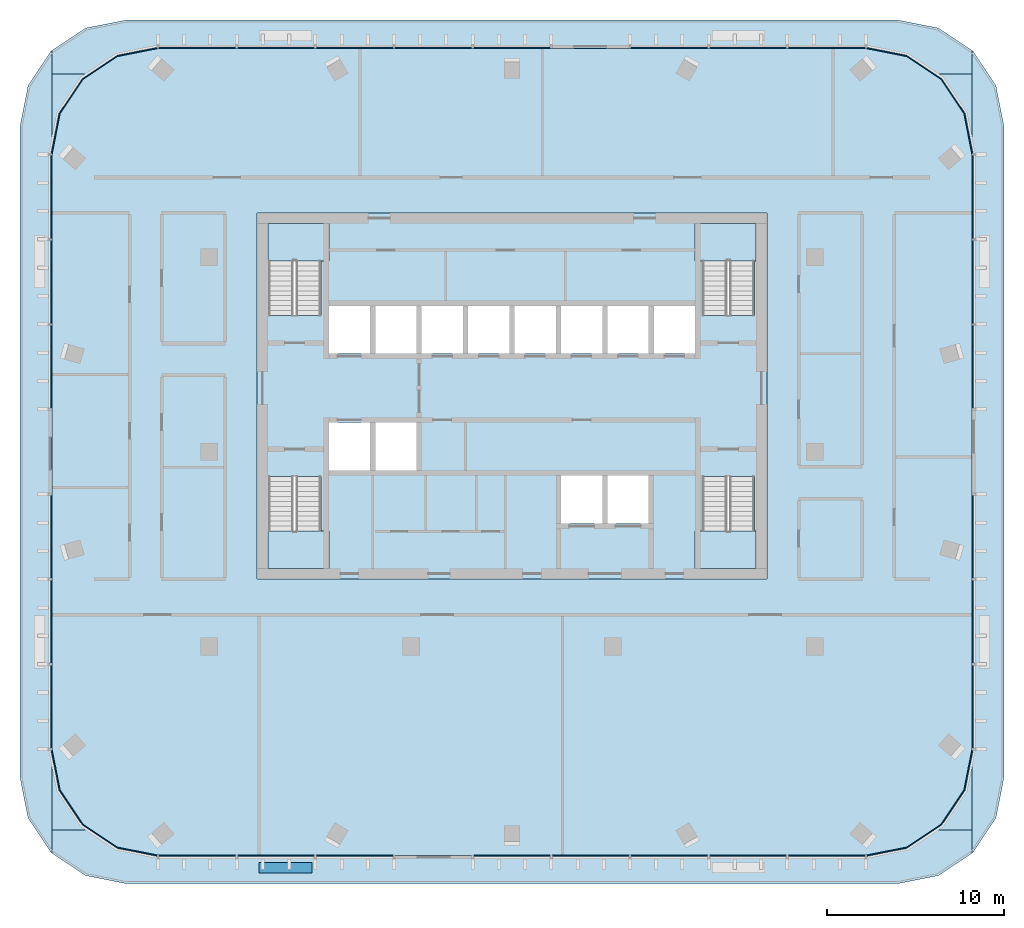
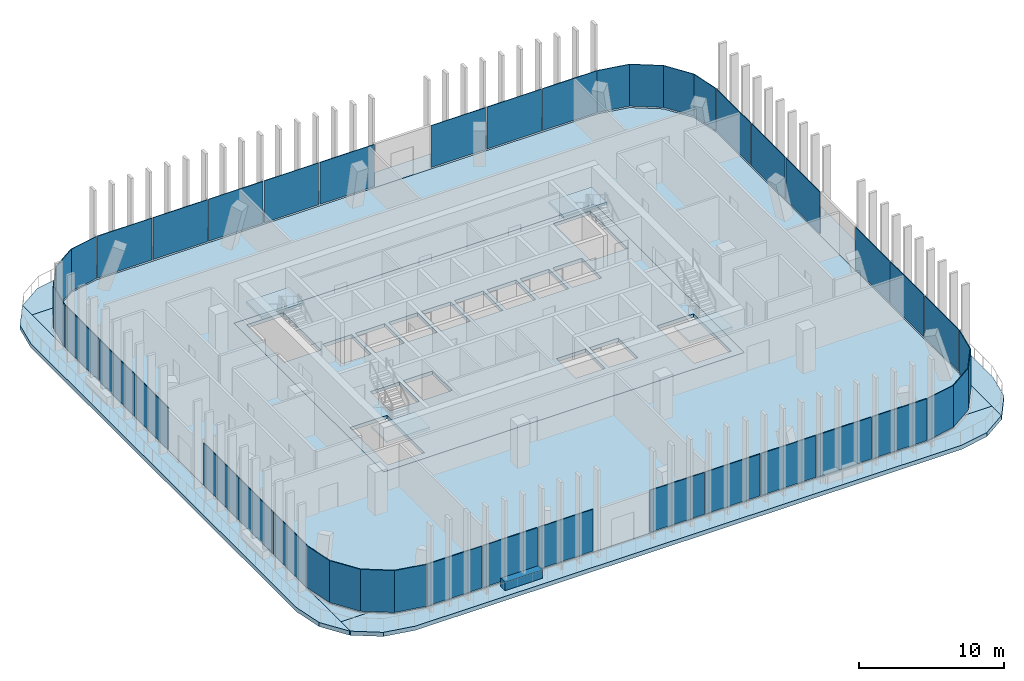
# One storey, part 6 of 15: 32 plates, 14 slabs, 1 wall, 16 elements without a shape of their own.
"""IFC4 building model written with IfcOpenShell, lengths in metres."""

import ifcopenshell
import ifcopenshell.guid

model = None  # the IFC model being written
_history = None  # IfcOwnerHistory: only IFC2X3 demands one
_inside = {}  # id of a spatial element -> (the spatial element, [elements in it])
_under = {}  # id of a project, library or spatial element -> (it, [spatial elements below it])
_declared = {}  # id of a project -> (the project, [libraries it declares])
_typed = {}  # id of a type object -> (the type object, [elements of that type])
_made_of = {}  # id of a material, layer set ... -> (it, [elements and type objects made of it])


def new_model(schema):
    """Start an empty IFC model of exactly this schema.

    Asked for "IFC4X3", IfcOpenShell would pick the latest addendum, in which some entities
    have other attributes; the version numbers below select the first issue.
    IFC2X3 requires an IfcOwnerHistory on every rooted entity: one is made here for all.
    """
    global model, _history
    if schema == "IFC4X3":
        model = ifcopenshell.file(schema_version=(4, 3, 0, 0))
    else:
        model = ifcopenshell.file(schema=schema)
    _inside.clear()
    _under.clear()
    _declared.clear()
    _typed.clear()
    _made_of.clear()
    _history = None
    if model.schema == "IFC2X3":
        org = make("IfcOrganization", Name="unknown")
        user = make(
            "IfcPersonAndOrganization",
            ThePerson=make("IfcPerson", FamilyName="unknown"),
            TheOrganization=org,
        )
        app = make(
            "IfcApplication",
            ApplicationDeveloper=org,
            Version="unknown",
            ApplicationFullName="unknown",
            ApplicationIdentifier="unknown",
        )
        _history = make(
            "IfcOwnerHistory",
            OwningUser=user,
            OwningApplication=app,
            ChangeAction="ADDED",
            CreationDate=0,
        )
    return model


def make(cls, **values):
    """One entity of the class cls with the attributes given. An attribute that is None is left unset."""
    return model.create_entity(
        cls, **{name: value for name, value in values.items() if value is not None}
    )


def rooted(cls, **values):
    """An entity with a GlobalId (a new one), such as an element, a storey or a relation."""
    return make(cls, GlobalId=ifcopenshell.guid.new(), OwnerHistory=_history, **values)


def si_unit(unit_type, name, prefix=None):
    """IfcSIUnit, for example si_unit("LENGTHUNIT", "METRE", prefix="MILLI")."""
    return make("IfcSIUnit", UnitType=unit_type, Prefix=prefix, Name=name)


def assignment(units):
    """IfcUnitAssignment: the units of a project."""
    return None if units is None else make("IfcUnitAssignment", Units=units)


def point(xyz):
    """IfcCartesianPoint."""
    return None if xyz is None else make("IfcCartesianPoint", Coordinates=xyz)


def direction(xyz):
    """IfcDirection."""
    return None if xyz is None else make("IfcDirection", DirectionRatios=xyz)


def frame(location, z_axis=None, x_axis=None):
    """IfcAxis2Placement3D, a coordinate frame: its origin and axes. An axis left out is left unset."""
    return make(
        "IfcAxis2Placement3D",
        Location=point(location),
        Axis=direction(z_axis),
        RefDirection=direction(x_axis),
    )


def frame_2d(location, x_axis=None):
    """IfcAxis2Placement2D, a coordinate frame in the plane: its origin and x axis."""
    return make(
        "IfcAxis2Placement2D", Location=point(location), RefDirection=direction(x_axis)
    )


def origin():
    """The frame at (0, 0, 0) with its axes left unset."""
    return frame((0.0, 0.0, 0.0))


def origin_2d():
    """The frame at (0, 0) in the plane with its x axis left unset."""
    return frame_2d((0.0, 0.0))


def place(relative_to, where):
    """IfcLocalPlacement: puts the frame where relative to a parent placement (None: the world)."""
    return make(
        "IfcLocalPlacement", PlacementRelTo=relative_to, RelativePlacement=where
    )


def context(
    kind, dimensions, precision=None, world=None, true_north=None, identifier=None
):
    """IfcGeometricRepresentationContext, for example the 3D "Model" context."""
    return make(
        "IfcGeometricRepresentationContext",
        ContextIdentifier=identifier,
        ContextType=kind,
        CoordinateSpaceDimension=dimensions,
        Precision=precision,
        WorldCoordinateSystem=world,
        TrueNorth=true_north,
    )


def subcontext(parent, identifier, kind, view, scale=None):
    """IfcGeometricRepresentationSubContext, for example "Body" below "Model"."""
    return make(
        "IfcGeometricRepresentationSubContext",
        ContextIdentifier=identifier,
        ContextType=kind,
        ParentContext=parent,
        TargetScale=scale,
        TargetView=view,
    )


def project(units=None, contexts=None):
    """IfcProject with its units and contexts."""
    return rooted(
        "IfcProject",
        Name="project",
        RepresentationContexts=contexts,
        UnitsInContext=assignment(units),
    )


def spatial(cls, under=None, at=None, **own):
    """A site, building, storey or space (cls), placed at a placement, below another one or the project."""
    s = rooted(cls, ObjectPlacement=at, **own)
    if under is not None:
        _under.setdefault(under.id(), (under, []))[1].append(s)
    return s


def polyline(points):
    """IfcPolyline through the points."""
    return make("IfcPolyline", Points=[point(p) for p in points])


def profile(cls, at=None, kind="AREA", **sizes):
    """A parametric profile (cls). Its sizes go by their IFC names, for example OverallWidth=200.0."""
    return make(cls, ProfileType=kind, Position=at, **sizes)


def rectangle(**sizes):
    """IfcRectangleProfileDef."""
    return profile("IfcRectangleProfileDef", **sizes)


def outline(outer, holes=None, kind="AREA"):
    """IfcArbitraryClosedProfileDef: a profile drawn as a closed curve; with holes, ...WithVoids."""
    if holes is None:
        return make("IfcArbitraryClosedProfileDef", ProfileType=kind, OuterCurve=outer)
    return make(
        "IfcArbitraryProfileDefWithVoids",
        ProfileType=kind,
        OuterCurve=outer,
        InnerCurves=holes,
    )


def extrude(swept, where, along, depth):
    """IfcExtrudedAreaSolid: the profile swept, set in the frame where, extruded along a direction by depth."""
    return make(
        "IfcExtrudedAreaSolid",
        SweptArea=swept,
        Position=where,
        ExtrudedDirection=direction(along),
        Depth=depth,
    )


def shape(context_of_items, identifier, shape_type, items):
    """IfcShapeRepresentation: the items that make up one representation, for example the "Body"."""
    return make(
        "IfcShapeRepresentation",
        ContextOfItems=context_of_items,
        RepresentationIdentifier=identifier,
        RepresentationType=shape_type,
        Items=items,
    )


def material(Name=None, Category=None):
    """IfcMaterial."""
    return make("IfcMaterial", Name=Name, Category=Category)


def layer(
    of_material, thickness, ventilated=None, Name=None, Category=None, Priority=None
):
    """IfcMaterialLayer: one layer of a wall or slab, of a material (None: an air gap)."""
    return make(
        "IfcMaterialLayer",
        Material=of_material,
        LayerThickness=thickness,
        IsVentilated=ventilated,
        Name=Name,
        Category=Category,
        Priority=Priority,
    )


def layer_set(layers, Name=None):
    """IfcMaterialLayerSet."""
    return make("IfcMaterialLayerSet", MaterialLayers=layers, LayerSetName=Name)


def made_of(thing, what):
    """Note that an element or type object is made of a material, layer set ...; save() writes the relation."""
    if what is not None:
        _made_of.setdefault(what.id(), (what, []))[1].append(thing)
    return thing


def type_object(cls, material=None, **own):
    """A type object (cls), such as IfcWallType, which elements share."""
    return made_of(rooted(cls, **own), material)


def element(
    cls,
    number,
    at=None,
    inside=None,
    cuts=None,
    type_object=None,
    material=None,
    context=None,
    identifier="Body",
    shape_type=None,
    held_by="IfcProductDefinitionShape",
    body=None,
    shapes=None,
    **own,
):
    """One element of the class cls, such as IfcWall. Its Tag is "e" and its number.

    at: its placement. inside: the storey or other place that contains it. cuts: it is an
    opening in that element (IfcRelVoidsElement). A single representation is given by context,
    identifier, shape_type and body (its items); several are given by shapes. held_by: the class
    of the entity that holds the representations. save() writes the other relations.
    """
    e = rooted(cls, Tag="e%d" % number, ObjectPlacement=at, **own)
    if body is not None:
        shapes = [shape(context, identifier, shape_type, body)]
    if shapes is not None:
        e.Representation = make(held_by, Representations=shapes)
    if inside is not None:
        _inside.setdefault(inside.id(), (inside, []))[1].append(e)
    if cuts is not None:
        rooted(
            "IfcRelVoidsElement", RelatingBuildingElement=cuts, RelatedOpeningElement=e
        )
    if type_object is not None:
        _typed.setdefault(type_object.id(), (type_object, []))[1].append(e)
    return made_of(e, material)


def aggregate(whole, parts):
    """IfcRelAggregates: a whole, such as a stair, and the parts it consists of."""
    return rooted("IfcRelAggregates", RelatingObject=whole, RelatedObjects=parts)


def save(model, path):
    """Write the relations noted so far, then the file.

    IfcRelAggregates (storeys below a building ...), IfcRelContainedInSpatialStructure (elements
    in a storey), IfcRelDefinesByType, IfcRelAssociatesMaterial and IfcRelDeclares: one each for
    every whole, place, type object, material and project.
    """
    for whole, parts in _under.values():
        aggregate(whole, parts)
    for where, things in _inside.values():
        rooted(
            "IfcRelContainedInSpatialStructure",
            RelatedElements=things,
            RelatingStructure=where,
        )
    for kind, things in _typed.values():
        rooted("IfcRelDefinesByType", RelatedObjects=things, RelatingType=kind)
    for what, things in _made_of.values():
        rooted("IfcRelAssociatesMaterial", RelatedObjects=things, RelatingMaterial=what)
    for by, libraries in _declared.values():
        rooted("IfcRelDeclares", RelatingContext=by, RelatedDefinitions=libraries)
    model.write(path)


model = new_model("IFC4")

# Units and contexts
model_context = context("Model", 3, precision=1e-05, world=origin(), true_north=direction((0.0, 1.0)))
body_context = subcontext(model_context, "Body", "Model", "MODEL_VIEW")
ifc_project = project(units=[si_unit("LENGTHUNIT", "METRE"), si_unit("AREAUNIT", "SQUARE_METRE"), si_unit("VOLUMEUNIT", "CUBIC_METRE"), si_unit("PLANEANGLEUNIT", "RADIAN"), si_unit("MASSUNIT", "GRAM", prefix="KILO")], contexts=[model_context])

# Site, building, storey
site_placement = place(None, origin())
site = spatial("IfcSite", under=ifc_project, at=site_placement, CompositionType="ELEMENT")
building_placement = place(site_placement, origin())
building = spatial("IfcBuilding", under=site, at=building_placement, Name="Mopane Tessera Tower", CompositionType="ELEMENT")
storey_placement = place(building_placement, frame((0.0, 0.0, 329.39990234375)))
storey = spatial("IfcBuildingStorey", under=building, at=storey_placement, Name="L72", CompositionType="ELEMENT", Elevation=329.39990234375)

# Slab
ifc_material_1 = material(Name="Concrete C40/50", Category="concrete")
ifc_layer_1 = layer(ifc_material_1, 0.300048828125)
ifc_layer_set_1 = layer_set([ifc_layer_1], Name="Concrete C40/50")
slab_type_1 = type_object("IfcSlabType", Name="Core floor slab 300 mm", PredefinedType="FLOOR", material=ifc_layer_set_1)
slab_1_placement = place(storey_placement, frame((0.0, 0.0, -0.2998046875)))
element("IfcSlab", 1, at=slab_1_placement, inside=storey, type_object=slab_type_1, Name="L72 core floor slab", PredefinedType="FLOOR", context=body_context, shape_type="SweptSolid", body=[
    extrude(outline(polyline([(-14.39990234375, -7.199951171875), (14.39990234375, -7.199951171875), (14.39990234375, 13.5), (-14.39990234375, 13.5), (-14.39990234375, -7.199951171875)]), holes=[polyline([(-10.35009765625, -1.050048828125), (-8.02490234375, -1.050048828125), (-8.02490234375, 1.64990234375), (-10.35009765625, 1.64990234375), (-10.35009765625, -1.050048828125)]), polyline([(-7.72509765625, -1.050048828125), (-5.39990234375, -1.050048828125), (-5.39990234375, 1.64990234375), (-7.72509765625, 1.64990234375), (-7.72509765625, -1.050048828125)]), polyline([(-10.35009765625, 5.550048828125), (-8.02490234375, 5.550048828125), (-8.02490234375, 8.25), (-10.35009765625, 8.25), (-10.35009765625, 5.550048828125)]), polyline([(-7.72509765625, 5.550048828125), (-5.39990234375, 5.550048828125), (-5.39990234375, 8.25), (-7.72509765625, 8.25), (-7.72509765625, 5.550048828125)]), polyline([(-5.10009765625, 5.550048828125), (-2.77490234375, 5.550048828125), (-2.77490234375, 8.25), (-5.10009765625, 8.25), (-5.10009765625, 5.550048828125)]), polyline([(-2.47509765625, 5.550048828125), (-0.14990234375, 5.550048828125), (-0.14990234375, 8.25), (-2.47509765625, 8.25), (-2.47509765625, 5.550048828125)]), polyline([(0.14990234375, 5.550048828125), (2.47509765625, 5.550048828125), (2.47509765625, 8.25), (0.14990234375, 8.25), (0.14990234375, 5.550048828125)]), polyline([(2.77490234375, 5.550048828125), (5.10009765625, 5.550048828125), (5.10009765625, 8.25), (2.77490234375, 8.25), (2.77490234375, 5.550048828125)]), polyline([(5.39990234375, 5.550048828125), (7.72509765625, 5.550048828125), (7.72509765625, 8.25), (5.39990234375, 8.25), (5.39990234375, 5.550048828125)]), polyline([(8.02490234375, 5.550048828125), (10.35009765625, 5.550048828125), (10.35009765625, 8.25), (8.02490234375, 8.25), (8.02490234375, 5.550048828125)]), polyline([(2.77490234375, -4.050048828125), (5.10009765625, -4.050048828125), (5.10009765625, -1.35009765625), (2.77490234375, -1.35009765625), (2.77490234375, -4.050048828125)]), polyline([(5.39990234375, -4.050048828125), (7.72509765625, -4.050048828125), (7.72509765625, -1.35009765625), (5.39990234375, -1.35009765625), (5.39990234375, -4.050048828125)]), polyline([(-13.75, -1.405029296875), (-13.75, -6.60009765625), (-10.800048828125, -6.60009765625), (-10.800048828125, -1.405029296875), (-13.75, -1.405029296875)]), polyline([(-10.800048828125, 7.705078125), (-10.800048828125, 12.89990234375), (-13.75, 12.89990234375), (-13.75, 7.705078125), (-10.800048828125, 7.705078125)]), polyline([(10.75, -1.405029296875), (10.75, -6.60009765625), (13.699951171875, -6.60009765625), (13.699951171875, -1.405029296875), (10.75, -1.405029296875)]), polyline([(13.699951171875, 7.705078125), (13.699951171875, 12.89990234375), (10.75, 12.89990234375), (10.75, 7.705078125), (13.699951171875, 7.705078125)])]), origin(), (0.0, 0.0, 1.0), 0.2998046875),
])

# Stair, slab
ifc_material_2 = material(Name="Concrete C50/60", Category="concrete")
stair_type = type_object("IfcStairType", Name="Escape stair 1400 mm, riser 167 mm", PredefinedType="HALF_TURN_STAIR", material=ifc_material_2)
stair_1_placement = place(storey_placement, origin())
stair_1 = element("IfcStair", 2, at=stair_1_placement, inside=storey, type_object=stair_type, Name="L72 Escape stair south-west", PredefinedType="HALF_TURN_STAIR")
ifc_material_3 = material(Name="Concrete C50/60", Category="concrete")
ifc_layer_2 = layer(ifc_material_3, 0.199951171875)
ifc_layer_set_2 = layer_set([ifc_layer_2], Name="Concrete C50/60")
slab_type_2 = type_object("IfcSlabType", Name="Escape stair landing 200 mm", PredefinedType="LANDING", material=ifc_layer_set_2)
slab_2_placement = place(storey_placement, frame((0.0, 0.0, 1.800048828125)))
slab_2 = element("IfcSlab", 3, at=slab_2_placement, type_object=slab_type_2, Name="ST1 landing 1", PredefinedType="LANDING", context=body_context, shape_type="SweptSolid", body=[
    extrude(outline(polyline([(-13.800048828125, -4.47998046875), (-13.800048828125, -6.60009765625), (-10.35009765625, -6.60009765625), (-10.35009765625, -4.47998046875), (-13.800048828125, -4.47998046875)])), origin(), (0.0, 0.0, 1.0), 0.199951171875),
])
aggregate(stair_1, [slab_2])

stair_2_placement = place(storey_placement, origin())
stair_2 = element("IfcStair", 4, at=stair_2_placement, inside=storey, type_object=stair_type, Name="L72 Escape stair north-west", PredefinedType="HALF_TURN_STAIR")
slab_3_placement = place(storey_placement, frame((0.0, 0.0, 1.800048828125)))
slab_3 = element("IfcSlab", 5, at=slab_3_placement, type_object=slab_type_2, Name="ST2 landing 1", PredefinedType="LANDING", context=body_context, shape_type="SweptSolid", body=[
    extrude(outline(polyline([(-10.35009765625, 10.780029296875), (-10.35009765625, 12.89990234375), (-13.800048828125, 12.89990234375), (-13.800048828125, 10.780029296875), (-10.35009765625, 10.780029296875)])), origin(), (0.0, 0.0, 1.0), 0.199951171875),
])
aggregate(stair_2, [slab_3])

stair_3_placement = place(storey_placement, origin())
stair_3 = element("IfcStair", 6, at=stair_3_placement, inside=storey, type_object=stair_type, Name="L72 Escape stair south-east", PredefinedType="HALF_TURN_STAIR")
slab_4_placement = place(storey_placement, frame((0.0, 0.0, 1.800048828125)))
slab_4 = element("IfcSlab", 7, at=slab_4_placement, type_object=slab_type_2, Name="ST3 landing 1", PredefinedType="LANDING", context=body_context, shape_type="SweptSolid", body=[
    extrude(outline(polyline([(10.35009765625, -4.47998046875), (10.35009765625, -6.60009765625), (13.800048828125, -6.60009765625), (13.800048828125, -4.47998046875), (10.35009765625, -4.47998046875)])), origin(), (0.0, 0.0, 1.0), 0.199951171875),
])
aggregate(stair_3, [slab_4])

stair_4_placement = place(storey_placement, origin())
stair_4 = element("IfcStair", 8, at=stair_4_placement, inside=storey, type_object=stair_type, Name="L72 Escape stair north-east", PredefinedType="HALF_TURN_STAIR")
slab_5_placement = place(storey_placement, frame((0.0, 0.0, 1.800048828125)))
slab_5 = element("IfcSlab", 9, at=slab_5_placement, type_object=slab_type_2, Name="ST4 landing 1", PredefinedType="LANDING", context=body_context, shape_type="SweptSolid", body=[
    extrude(outline(polyline([(13.800048828125, 10.780029296875), (13.800048828125, 12.89990234375), (10.35009765625, 12.89990234375), (10.35009765625, 10.780029296875), (13.800048828125, 10.780029296875)])), origin(), (0.0, 0.0, 1.0), 0.199951171875),
])
aggregate(stair_4, [slab_5])

# Slabs
ifc_material_4 = material(Name="Concrete C40/50", Category="concrete")
ifc_layer_3 = layer(ifc_material_4, 0.35009765625)
ifc_layer_set_3 = layer_set([ifc_layer_3], Name="Concrete C40/50")
slab_type_3 = type_object("IfcSlabType", Name="Post-tensioned flat plate 350 mm", PredefinedType="FLOOR", material=ifc_layer_set_3)
slab_6_placement = place(storey_placement, frame((0.0, 0.0, -0.349853515625)))
element("IfcSlab", 10, at=slab_6_placement, inside=storey, type_object=slab_type_3, Name="Floor slab L72", PredefinedType="FLOOR", context=body_context, shape_type="SweptSolid", body=[
    extrude(outline(polyline([(-20.0, -22.800048828125), (20.0, -22.800048828125), (22.296142578125, -22.34326171875), (24.24267578125, -21.042724609375), (25.543212890625, -19.09619140625), (26.0, -16.800048828125), (26.0, 16.800048828125), (25.543212890625, 19.09619140625), (24.24267578125, 21.042724609375), (22.296142578125, 22.34326171875), (20.0, 22.800048828125), (-20.0, 22.800048828125), (-22.296142578125, 22.34326171875), (-24.24267578125, 21.042724609375), (-25.543212890625, 19.09619140625), (-26.0, 16.800048828125), (-26.0, -16.800048828125), (-25.543212890625, -19.09619140625), (-24.24267578125, -21.042724609375), (-22.296142578125, -22.34326171875), (-20.0, -22.800048828125)]), holes=[polyline([(14.39990234375, -7.199951171875), (-14.39990234375, -7.199951171875), (-14.39990234375, 13.5), (14.39990234375, 13.5), (14.39990234375, -7.199951171875)])]), origin(), (0.0, 0.0, 1.0), 0.349853515625),
])
ifc_material_5 = material(Name="Concrete C40/50", Category="concrete")
ifc_layer_4 = layer(ifc_material_5, 0.35009765625)
ifc_layer_set_4 = layer_set([ifc_layer_4], Name="Concrete C40/50")
slab_type_4 = type_object("IfcSlabType", Name="Setback roof terrace slab 350 mm", PredefinedType="ROOF", material=ifc_layer_set_4)
slab_7_placement = place(storey_placement, frame((0.0, 0.0, -0.349853515625)))
element("IfcSlab", 11, at=slab_7_placement, inside=storey, type_object=slab_type_4, Name="Setback terrace slab L72", PredefinedType="ROOF", context=body_context, shape_type="SweptSolid", body=[
    extrude(outline(polyline([(-26.0, -22.671142578125), (-26.0, -16.800048828125), (-26.0, 16.800048828125), (-26.0, 22.671142578125), (-26.042724609375, 22.642578125), (-27.34326171875, 20.696044921875), (-27.800048828125, 18.39990234375), (-27.800048828125, -18.39990234375), (-27.34326171875, -20.696044921875), (-26.042724609375, -22.642578125), (-26.0, -22.671142578125)])), origin(), (0.0, 0.0, 1.0), 0.349853515625),
])
slab_8_placement = place(storey_placement, frame((0.0, 0.0, -0.349853515625)))
element("IfcSlab", 12, at=slab_8_placement, inside=storey, type_object=slab_type_4, Name="Setback terrace slab L72", PredefinedType="ROOF", context=body_context, shape_type="SweptSolid", body=[
    extrude(outline(polyline([(-26.0, -16.800048828125), (-26.0, -21.360107421875), (-23.767578125, -21.360107421875), (-24.24267578125, -21.042724609375), (-25.543212890625, -19.09619140625), (-26.0, -16.800048828125)])), origin(), (0.0, 0.0, 1.0), 0.349853515625),
])
slab_9_placement = place(storey_placement, frame((0.0, 0.0, -0.349853515625)))
element("IfcSlab", 13, at=slab_9_placement, inside=storey, type_object=slab_type_4, Name="Setback terrace slab L72", PredefinedType="ROOF", context=body_context, shape_type="SweptSolid", body=[
    extrude(outline(polyline([(-23.767578125, 21.360107421875), (-26.0, 21.360107421875), (-26.0, 16.800048828125), (-25.543212890625, 19.09619140625), (-24.24267578125, 21.042724609375), (-23.767578125, 21.360107421875)])), origin(), (0.0, 0.0, 1.0), 0.349853515625),
])
slab_10_placement = place(storey_placement, frame((0.0, 0.0, -0.349853515625)))
element("IfcSlab", 14, at=slab_10_placement, inside=storey, type_object=slab_type_4, Name="Setback terrace slab L72", PredefinedType="ROOF", context=body_context, shape_type="SweptSolid", body=[
    extrude(outline(polyline([(-20.0, -22.800048828125), (-22.296142578125, -22.34326171875), (-23.767578125, -21.360107421875), (-26.0, -21.360107421875), (-26.0, -22.671142578125), (-25.80712890625, -22.800048828125), (-24.09619140625, -23.943359375), (-21.800048828125, -24.39990234375), (21.800048828125, -24.39990234375), (24.09619140625, -23.943359375), (25.80712890625, -22.800048828125), (26.0, -22.671142578125), (26.0, -21.360107421875), (23.767578125, -21.360107421875), (22.296142578125, -22.34326171875), (20.0, -22.800048828125), (-20.0, -22.800048828125)])), origin(), (0.0, 0.0, 1.0), 0.349853515625),
])
slab_11_placement = place(storey_placement, frame((0.0, 0.0, -0.349853515625)))
element("IfcSlab", 15, at=slab_11_placement, inside=storey, type_object=slab_type_4, Name="Setback terrace slab L72", PredefinedType="ROOF", context=body_context, shape_type="SweptSolid", body=[
    extrude(outline(polyline([(20.0, 22.800048828125), (22.296142578125, 22.34326171875), (23.767578125, 21.360107421875), (26.0, 21.360107421875), (26.0, 22.671142578125), (25.80712890625, 22.800048828125), (24.09619140625, 23.943359375), (21.800048828125, 24.39990234375), (-21.800048828125, 24.39990234375), (-24.09619140625, 23.943359375), (-25.80712890625, 22.800048828125), (-26.0, 22.671142578125), (-26.0, 21.360107421875), (-23.767578125, 21.360107421875), (-22.296142578125, 22.34326171875), (-20.0, 22.800048828125), (20.0, 22.800048828125)])), origin(), (0.0, 0.0, 1.0), 0.349853515625),
])
slab_12_placement = place(storey_placement, frame((0.0, 0.0, -0.349853515625)))
element("IfcSlab", 16, at=slab_12_placement, inside=storey, type_object=slab_type_4, Name="Setback terrace slab L72", PredefinedType="ROOF", context=body_context, shape_type="SweptSolid", body=[
    extrude(outline(polyline([(23.767578125, -21.360107421875), (26.0, -21.360107421875), (26.0, -16.800048828125), (25.543212890625, -19.09619140625), (24.24267578125, -21.042724609375), (23.767578125, -21.360107421875)])), origin(), (0.0, 0.0, 1.0), 0.349853515625),
])
slab_13_placement = place(storey_placement, frame((0.0, 0.0, -0.349853515625)))
element("IfcSlab", 17, at=slab_13_placement, inside=storey, type_object=slab_type_4, Name="Setback terrace slab L72", PredefinedType="ROOF", context=body_context, shape_type="SweptSolid", body=[
    extrude(outline(polyline([(26.0, 16.800048828125), (26.0, 21.360107421875), (23.767578125, 21.360107421875), (24.24267578125, 21.042724609375), (25.543212890625, 19.09619140625), (26.0, 16.800048828125)])), origin(), (0.0, 0.0, 1.0), 0.349853515625),
])
slab_14_placement = place(storey_placement, frame((0.0, 0.0, -0.349853515625)))
element("IfcSlab", 18, at=slab_14_placement, inside=storey, type_object=slab_type_4, Name="Setback terrace slab L72", PredefinedType="ROOF", context=body_context, shape_type="SweptSolid", body=[
    extrude(outline(polyline([(26.0, 22.671142578125), (26.0, 16.800048828125), (26.0, -16.800048828125), (26.0, -22.671142578125), (26.042724609375, -22.642578125), (27.34326171875, -20.696044921875), (27.800048828125, -18.39990234375), (27.800048828125, 18.39990234375), (27.34326171875, 20.696044921875), (26.042724609375, 22.642578125), (26.0, 22.671142578125)])), origin(), (0.0, 0.0, 1.0), 0.349853515625),
])

# Curtain wall, plates
ifc_material_6 = material(Name="Aluminium frame", Category="aluminium")
curtain_wall_type = type_object("IfcCurtainWallType", Name="Unitised curtain wall", PredefinedType="NOTDEFINED", material=ifc_material_6)
curtain_wall_1_placement = place(storey_placement, origin())
curtain_wall_1 = element("IfcCurtainWall", 19, at=curtain_wall_1_placement, inside=storey, type_object=curtain_wall_type, Name="e:cw:L72:S:0", PredefinedType="NOTDEFINED")
ifc_material_7 = material(Name="Clear laminated glass", Category="glass")
ifc_layer_5 = layer(ifc_material_7, 0.06005859375)
ifc_layer_set_5 = layer_set([ifc_layer_5], Name="Clear laminated glass")
plate_type = type_object("IfcPlateType", Name="Unitised glazed unit", PredefinedType="CURTAIN_PANEL", material=ifc_layer_set_5)
plate_1_placement = place(storey_placement, frame((-17.77783203125, -22.830078125, 0.1201171875), z_axis=(0.0, 0.0, 1.0), x_axis=(1.0, 0.0, 0.0)))
plate_1 = element("IfcPlate", 20, at=plate_1_placement, type_object=plate_type, Name="e:cw:L72:S:0:pn0", PredefinedType="CURTAIN_PANEL", context=body_context, shape_type="SweptSolid", body=[
    extrude(rectangle(XDim=4.344482421875, YDim=0.06005859375, at=origin_2d()), origin(), (0.0, 0.0, 1.0), 3.530029296875),
])
plate_2_placement = place(storey_placement, frame((-13.333251953125, -22.830078125, 0.1201171875), z_axis=(0.0, 0.0, 1.0), x_axis=(1.0, 0.0, 0.0)))
plate_2 = element("IfcPlate", 21, at=plate_2_placement, type_object=plate_type, Name="e:cw:L72:S:0:pn1", PredefinedType="CURTAIN_PANEL", context=body_context, shape_type="SweptSolid", body=[
    extrude(rectangle(XDim=4.344482421875, YDim=0.06005859375, at=origin_2d()), origin(), (0.0, 0.0, 1.0), 3.530029296875),
])
plate_3_placement = place(storey_placement, frame((-8.888916015625, -22.830078125, 0.1201171875), z_axis=(0.0, 0.0, 1.0), x_axis=(1.0, 0.0, 0.0)))
plate_3 = element("IfcPlate", 22, at=plate_3_placement, type_object=plate_type, Name="e:cw:L72:S:0:pn2", PredefinedType="CURTAIN_PANEL", context=body_context, shape_type="SweptSolid", body=[
    extrude(rectangle(XDim=4.344482421875, YDim=0.06005859375, at=origin_2d()), origin(), (0.0, 0.0, 1.0), 3.530029296875),
])
aggregate(curtain_wall_1, [plate_1, plate_2, plate_3])

curtain_wall_2_placement = place(storey_placement, origin())
curtain_wall_2 = element("IfcCurtainWall", 23, at=curtain_wall_2_placement, inside=storey, type_object=curtain_wall_type, Name="e:cw:L72:S:4", PredefinedType="NOTDEFINED")
plate_4_placement = place(storey_placement, frame((0.0, -22.830078125, 0.1201171875), z_axis=(0.0, 0.0, 1.0), x_axis=(1.0, 0.0, 0.0)))
plate_4 = element("IfcPlate", 24, at=plate_4_placement, type_object=plate_type, Name="e:cw:L72:S:4:pn4", PredefinedType="CURTAIN_PANEL", context=body_context, shape_type="SweptSolid", body=[
    extrude(rectangle(XDim=4.344482421875, YDim=0.06005859375, at=origin_2d()), origin(), (0.0, 0.0, 1.0), 3.530029296875),
])
plate_5_placement = place(storey_placement, frame((4.4443359375, -22.830078125, 0.1201171875), z_axis=(0.0, 0.0, 1.0), x_axis=(1.0, 0.0, 0.0)))
plate_5 = element("IfcPlate", 25, at=plate_5_placement, type_object=plate_type, Name="e:cw:L72:S:4:pn5", PredefinedType="CURTAIN_PANEL", context=body_context, shape_type="SweptSolid", body=[
    extrude(rectangle(XDim=4.344482421875, YDim=0.06005859375, at=origin_2d()), origin(), (0.0, 0.0, 1.0), 3.530029296875),
])
plate_6_placement = place(storey_placement, frame((8.888916015625, -22.830078125, 0.1201171875), z_axis=(0.0, 0.0, 1.0), x_axis=(1.0, 0.0, 0.0)))
plate_6 = element("IfcPlate", 26, at=plate_6_placement, type_object=plate_type, Name="e:cw:L72:S:4:pn6", PredefinedType="CURTAIN_PANEL", context=body_context, shape_type="SweptSolid", body=[
    extrude(rectangle(XDim=4.344482421875, YDim=0.06005859375, at=origin_2d()), origin(), (0.0, 0.0, 1.0), 3.530029296875),
])
plate_7_placement = place(storey_placement, frame((13.333251953125, -22.830078125, 0.1201171875), z_axis=(0.0, 0.0, 1.0), x_axis=(1.0, 0.0, 0.0)))
plate_7 = element("IfcPlate", 27, at=plate_7_placement, type_object=plate_type, Name="e:cw:L72:S:4:pn7", PredefinedType="CURTAIN_PANEL", context=body_context, shape_type="SweptSolid", body=[
    extrude(rectangle(XDim=4.344482421875, YDim=0.06005859375, at=origin_2d()), origin(), (0.0, 0.0, 1.0), 3.530029296875),
])
plate_8_placement = place(storey_placement, frame((17.77783203125, -22.830078125, 0.1201171875), z_axis=(0.0, 0.0, 1.0), x_axis=(1.0, 0.0, 0.0)))
plate_8 = element("IfcPlate", 28, at=plate_8_placement, type_object=plate_type, Name="e:cw:L72:S:4:pn8", PredefinedType="CURTAIN_PANEL", context=body_context, shape_type="SweptSolid", body=[
    extrude(rectangle(XDim=4.344482421875, YDim=0.06005859375, at=origin_2d()), origin(), (0.0, 0.0, 1.0), 3.530029296875),
])
aggregate(curtain_wall_2, [plate_4, plate_5, plate_6, plate_7, plate_8])

# Curtain wall, plate
curtain_wall_3_placement = place(storey_placement, origin())
curtain_wall_3 = element("IfcCurtainWall", 29, at=curtain_wall_3_placement, inside=storey, type_object=curtain_wall_type, Name="e:cw:L72:CS", PredefinedType="NOTDEFINED")
plate_9_placement = place(storey_placement, frame((0.0, 0.0, 0.1201171875)))
plate_9 = element("IfcPlate", 30, at=plate_9_placement, type_object=plate_type, Name="e:cw:L72:CS:pn", PredefinedType="CURTAIN_PANEL", context=body_context, shape_type="SweptSolid", body=[
    extrude(outline(polyline([(20.0, -22.800048828125), (22.296142578125, -22.34326171875), (24.24267578125, -21.042724609375), (25.543212890625, -19.09619140625), (26.0, -16.800048828125), (26.06005859375, -16.800048828125), (25.5986328125, -19.119140625), (24.28515625, -21.0849609375), (22.319091796875, -22.398681640625), (20.0, -22.860107421875), (20.0, -22.800048828125)])), origin(), (0.0, 0.0, 1.0), 3.530029296875),
])
aggregate(curtain_wall_3, [plate_9])

# Curtain wall, plates
curtain_wall_4_placement = place(storey_placement, origin())
curtain_wall_4 = element("IfcCurtainWall", 31, at=curtain_wall_4_placement, inside=storey, type_object=curtain_wall_type, Name="e:cw:L72:E:0", PredefinedType="NOTDEFINED")
plate_10_placement = place(storey_placement, frame((26.030029296875, -14.39990234375, 0.1201171875), z_axis=(0.0, 0.0, 1.0), x_axis=(0.0, 1.0, 0.0)))
plate_10 = element("IfcPlate", 32, at=plate_10_placement, type_object=plate_type, Name="e:cw:L72:E:0:pn0", PredefinedType="CURTAIN_PANEL", context=body_context, shape_type="SweptSolid", body=[
    extrude(rectangle(XDim=4.699951171875, YDim=0.06005859375, at=origin_2d()), origin(), (0.0, 0.0, 1.0), 3.530029296875),
])
plate_11_placement = place(storey_placement, frame((26.030029296875, -9.60009765625, 0.1201171875), z_axis=(0.0, 0.0, 1.0), x_axis=(0.0, 1.0, 0.0)))
plate_11 = element("IfcPlate", 33, at=plate_11_placement, type_object=plate_type, Name="e:cw:L72:E:0:pn1", PredefinedType="CURTAIN_PANEL", context=body_context, shape_type="SweptSolid", body=[
    extrude(rectangle(XDim=4.699951171875, YDim=0.06005859375, at=origin_2d()), origin(), (0.0, 0.0, 1.0), 3.530029296875),
])
plate_12_placement = place(storey_placement, frame((26.030029296875, -4.800048828125, 0.1201171875), z_axis=(0.0, 0.0, 1.0), x_axis=(0.0, 1.0, 0.0)))
plate_12 = element("IfcPlate", 34, at=plate_12_placement, type_object=plate_type, Name="e:cw:L72:E:0:pn2", PredefinedType="CURTAIN_PANEL", context=body_context, shape_type="SweptSolid", body=[
    extrude(rectangle(XDim=4.699951171875, YDim=0.06005859375, at=origin_2d()), origin(), (0.0, 0.0, 1.0), 3.530029296875),
])
aggregate(curtain_wall_4, [plate_10, plate_11, plate_12])

curtain_wall_5_placement = place(storey_placement, origin())
curtain_wall_5 = element("IfcCurtainWall", 35, at=curtain_wall_5_placement, inside=storey, type_object=curtain_wall_type, Name="e:cw:L72:E:4", PredefinedType="NOTDEFINED")
plate_13_placement = place(storey_placement, frame((26.030029296875, 4.800048828125, 0.1201171875), z_axis=(0.0, 0.0, 1.0), x_axis=(0.0, 1.0, 0.0)))
plate_13 = element("IfcPlate", 36, at=plate_13_placement, type_object=plate_type, Name="e:cw:L72:E:4:pn4", PredefinedType="CURTAIN_PANEL", context=body_context, shape_type="SweptSolid", body=[
    extrude(rectangle(XDim=4.699951171875, YDim=0.06005859375, at=origin_2d()), origin(), (0.0, 0.0, 1.0), 3.530029296875),
])
plate_14_placement = place(storey_placement, frame((26.030029296875, 9.60009765625, 0.1201171875), z_axis=(0.0, 0.0, 1.0), x_axis=(0.0, 1.0, 0.0)))
plate_14 = element("IfcPlate", 37, at=plate_14_placement, type_object=plate_type, Name="e:cw:L72:E:4:pn5", PredefinedType="CURTAIN_PANEL", context=body_context, shape_type="SweptSolid", body=[
    extrude(rectangle(XDim=4.699951171875, YDim=0.06005859375, at=origin_2d()), origin(), (0.0, 0.0, 1.0), 3.530029296875),
])
plate_15_placement = place(storey_placement, frame((26.030029296875, 14.39990234375, 0.1201171875), z_axis=(0.0, 0.0, 1.0), x_axis=(0.0, 1.0, 0.0)))
plate_15 = element("IfcPlate", 38, at=plate_15_placement, type_object=plate_type, Name="e:cw:L72:E:4:pn6", PredefinedType="CURTAIN_PANEL", context=body_context, shape_type="SweptSolid", body=[
    extrude(rectangle(XDim=4.699951171875, YDim=0.06005859375, at=origin_2d()), origin(), (0.0, 0.0, 1.0), 3.530029296875),
])
aggregate(curtain_wall_5, [plate_13, plate_14, plate_15])

# Curtain wall, plate
curtain_wall_6_placement = place(storey_placement, origin())
curtain_wall_6 = element("IfcCurtainWall", 39, at=curtain_wall_6_placement, inside=storey, type_object=curtain_wall_type, Name="e:cw:L72:CE", PredefinedType="NOTDEFINED")
plate_16_placement = place(storey_placement, frame((0.0, 0.0, 0.1201171875)))
plate_16 = element("IfcPlate", 40, at=plate_16_placement, type_object=plate_type, Name="e:cw:L72:CE:pn", PredefinedType="CURTAIN_PANEL", context=body_context, shape_type="SweptSolid", body=[
    extrude(outline(polyline([(26.0, 16.800048828125), (25.543212890625, 19.09619140625), (24.24267578125, 21.042724609375), (22.296142578125, 22.34326171875), (20.0, 22.800048828125), (20.0, 22.860107421875), (22.319091796875, 22.398681640625), (24.28515625, 21.0849609375), (25.5986328125, 19.119140625), (26.06005859375, 16.800048828125), (26.0, 16.800048828125)])), origin(), (0.0, 0.0, 1.0), 3.530029296875),
])
aggregate(curtain_wall_6, [plate_16])

# Curtain wall, plates
curtain_wall_7_placement = place(storey_placement, origin())
curtain_wall_7 = element("IfcCurtainWall", 41, at=curtain_wall_7_placement, inside=storey, type_object=curtain_wall_type, Name="e:cw:L72:N:0", PredefinedType="NOTDEFINED")
plate_17_placement = place(storey_placement, frame((17.77783203125, 22.830078125, 0.1201171875), z_axis=(0.0, 0.0, 1.0), x_axis=(-1.0, 0.0, 0.0)))
plate_17 = element("IfcPlate", 42, at=plate_17_placement, type_object=plate_type, Name="e:cw:L72:N:0:pn0", PredefinedType="CURTAIN_PANEL", context=body_context, shape_type="SweptSolid", body=[
    extrude(rectangle(XDim=4.344482421875, YDim=0.06005859375, at=origin_2d()), origin(), (0.0, 0.0, 1.0), 3.530029296875),
])
plate_18_placement = place(storey_placement, frame((13.333251953125, 22.830078125, 0.1201171875), z_axis=(0.0, 0.0, 1.0), x_axis=(-1.0, 0.0, 0.0)))
plate_18 = element("IfcPlate", 43, at=plate_18_placement, type_object=plate_type, Name="e:cw:L72:N:0:pn1", PredefinedType="CURTAIN_PANEL", context=body_context, shape_type="SweptSolid", body=[
    extrude(rectangle(XDim=4.344482421875, YDim=0.06005859375, at=origin_2d()), origin(), (0.0, 0.0, 1.0), 3.530029296875),
])
plate_19_placement = place(storey_placement, frame((8.888916015625, 22.830078125, 0.1201171875), z_axis=(0.0, 0.0, 1.0), x_axis=(-1.0, 0.0, 0.0)))
plate_19 = element("IfcPlate", 44, at=plate_19_placement, type_object=plate_type, Name="e:cw:L72:N:0:pn2", PredefinedType="CURTAIN_PANEL", context=body_context, shape_type="SweptSolid", body=[
    extrude(rectangle(XDim=4.344482421875, YDim=0.06005859375, at=origin_2d()), origin(), (0.0, 0.0, 1.0), 3.530029296875),
])
aggregate(curtain_wall_7, [plate_17, plate_18, plate_19])

curtain_wall_8_placement = place(storey_placement, origin())
curtain_wall_8 = element("IfcCurtainWall", 45, at=curtain_wall_8_placement, inside=storey, type_object=curtain_wall_type, Name="e:cw:L72:N:4", PredefinedType="NOTDEFINED")
plate_20_placement = place(storey_placement, frame((0.0, 22.830078125, 0.1201171875), z_axis=(0.0, 0.0, 1.0), x_axis=(-1.0, 0.0, 0.0)))
plate_20 = element("IfcPlate", 46, at=plate_20_placement, type_object=plate_type, Name="e:cw:L72:N:4:pn4", PredefinedType="CURTAIN_PANEL", context=body_context, shape_type="SweptSolid", body=[
    extrude(rectangle(XDim=4.344482421875, YDim=0.06005859375, at=origin_2d()), origin(), (0.0, 0.0, 1.0), 3.530029296875),
])
plate_21_placement = place(storey_placement, frame((-4.4443359375, 22.830078125, 0.1201171875), z_axis=(0.0, 0.0, 1.0), x_axis=(-1.0, 0.0, 0.0)))
plate_21 = element("IfcPlate", 47, at=plate_21_placement, type_object=plate_type, Name="e:cw:L72:N:4:pn5", PredefinedType="CURTAIN_PANEL", context=body_context, shape_type="SweptSolid", body=[
    extrude(rectangle(XDim=4.344482421875, YDim=0.06005859375, at=origin_2d()), origin(), (0.0, 0.0, 1.0), 3.530029296875),
])
plate_22_placement = place(storey_placement, frame((-8.888916015625, 22.830078125, 0.1201171875), z_axis=(0.0, 0.0, 1.0), x_axis=(-1.0, 0.0, 0.0)))
plate_22 = element("IfcPlate", 48, at=plate_22_placement, type_object=plate_type, Name="e:cw:L72:N:4:pn6", PredefinedType="CURTAIN_PANEL", context=body_context, shape_type="SweptSolid", body=[
    extrude(rectangle(XDim=4.344482421875, YDim=0.06005859375, at=origin_2d()), origin(), (0.0, 0.0, 1.0), 3.530029296875),
])
plate_23_placement = place(storey_placement, frame((-13.333251953125, 22.830078125, 0.1201171875), z_axis=(0.0, 0.0, 1.0), x_axis=(-1.0, 0.0, 0.0)))
plate_23 = element("IfcPlate", 49, at=plate_23_placement, type_object=plate_type, Name="e:cw:L72:N:4:pn7", PredefinedType="CURTAIN_PANEL", context=body_context, shape_type="SweptSolid", body=[
    extrude(rectangle(XDim=4.344482421875, YDim=0.06005859375, at=origin_2d()), origin(), (0.0, 0.0, 1.0), 3.530029296875),
])
plate_24_placement = place(storey_placement, frame((-17.77783203125, 22.830078125, 0.1201171875), z_axis=(0.0, 0.0, 1.0), x_axis=(-1.0, 0.0, 0.0)))
plate_24 = element("IfcPlate", 50, at=plate_24_placement, type_object=plate_type, Name="e:cw:L72:N:4:pn8", PredefinedType="CURTAIN_PANEL", context=body_context, shape_type="SweptSolid", body=[
    extrude(rectangle(XDim=4.344482421875, YDim=0.06005859375, at=origin_2d()), origin(), (0.0, 0.0, 1.0), 3.530029296875),
])
aggregate(curtain_wall_8, [plate_20, plate_21, plate_22, plate_23, plate_24])

# Curtain wall, plate
curtain_wall_9_placement = place(storey_placement, origin())
curtain_wall_9 = element("IfcCurtainWall", 51, at=curtain_wall_9_placement, inside=storey, type_object=curtain_wall_type, Name="e:cw:L72:CN", PredefinedType="NOTDEFINED")
plate_25_placement = place(storey_placement, frame((0.0, 0.0, 0.1201171875)))
plate_25 = element("IfcPlate", 52, at=plate_25_placement, type_object=plate_type, Name="e:cw:L72:CN:pn", PredefinedType="CURTAIN_PANEL", context=body_context, shape_type="SweptSolid", body=[
    extrude(outline(polyline([(-20.0, 22.800048828125), (-22.296142578125, 22.34326171875), (-24.24267578125, 21.042724609375), (-25.543212890625, 19.09619140625), (-26.0, 16.800048828125), (-26.06005859375, 16.800048828125), (-25.5986328125, 19.119140625), (-24.28515625, 21.0849609375), (-22.319091796875, 22.398681640625), (-20.0, 22.860107421875), (-20.0, 22.800048828125)])), origin(), (0.0, 0.0, 1.0), 3.530029296875),
])
aggregate(curtain_wall_9, [plate_25])

# Curtain wall, plates
curtain_wall_10_placement = place(storey_placement, origin())
curtain_wall_10 = element("IfcCurtainWall", 53, at=curtain_wall_10_placement, inside=storey, type_object=curtain_wall_type, Name="e:cw:L72:W:0", PredefinedType="NOTDEFINED")
plate_26_placement = place(storey_placement, frame((-26.030029296875, 14.39990234375, 0.1201171875), z_axis=(0.0, 0.0, 1.0), x_axis=(0.0, -1.0, 0.0)))
plate_26 = element("IfcPlate", 54, at=plate_26_placement, type_object=plate_type, Name="e:cw:L72:W:0:pn0", PredefinedType="CURTAIN_PANEL", context=body_context, shape_type="SweptSolid", body=[
    extrude(rectangle(XDim=4.699951171875, YDim=0.06005859375, at=origin_2d()), origin(), (0.0, 0.0, 1.0), 3.530029296875),
])
plate_27_placement = place(storey_placement, frame((-26.030029296875, 9.60009765625, 0.1201171875), z_axis=(0.0, 0.0, 1.0), x_axis=(0.0, -1.0, 0.0)))
plate_27 = element("IfcPlate", 55, at=plate_27_placement, type_object=plate_type, Name="e:cw:L72:W:0:pn1", PredefinedType="CURTAIN_PANEL", context=body_context, shape_type="SweptSolid", body=[
    extrude(rectangle(XDim=4.699951171875, YDim=0.06005859375, at=origin_2d()), origin(), (0.0, 0.0, 1.0), 3.530029296875),
])
plate_28_placement = place(storey_placement, frame((-26.030029296875, 4.800048828125, 0.1201171875), z_axis=(0.0, 0.0, 1.0), x_axis=(0.0, -1.0, 0.0)))
plate_28 = element("IfcPlate", 56, at=plate_28_placement, type_object=plate_type, Name="e:cw:L72:W:0:pn2", PredefinedType="CURTAIN_PANEL", context=body_context, shape_type="SweptSolid", body=[
    extrude(rectangle(XDim=4.699951171875, YDim=0.06005859375, at=origin_2d()), origin(), (0.0, 0.0, 1.0), 3.530029296875),
])
aggregate(curtain_wall_10, [plate_26, plate_27, plate_28])

curtain_wall_11_placement = place(storey_placement, origin())
curtain_wall_11 = element("IfcCurtainWall", 57, at=curtain_wall_11_placement, inside=storey, type_object=curtain_wall_type, Name="e:cw:L72:W:4", PredefinedType="NOTDEFINED")
plate_29_placement = place(storey_placement, frame((-26.030029296875, -4.800048828125, 0.1201171875), z_axis=(0.0, 0.0, 1.0), x_axis=(0.0, -1.0, 0.0)))
plate_29 = element("IfcPlate", 58, at=plate_29_placement, type_object=plate_type, Name="e:cw:L72:W:4:pn4", PredefinedType="CURTAIN_PANEL", context=body_context, shape_type="SweptSolid", body=[
    extrude(rectangle(XDim=4.699951171875, YDim=0.06005859375, at=origin_2d()), origin(), (0.0, 0.0, 1.0), 3.530029296875),
])
plate_30_placement = place(storey_placement, frame((-26.030029296875, -9.60009765625, 0.1201171875), z_axis=(0.0, 0.0, 1.0), x_axis=(0.0, -1.0, 0.0)))
plate_30 = element("IfcPlate", 59, at=plate_30_placement, type_object=plate_type, Name="e:cw:L72:W:4:pn5", PredefinedType="CURTAIN_PANEL", context=body_context, shape_type="SweptSolid", body=[
    extrude(rectangle(XDim=4.699951171875, YDim=0.06005859375, at=origin_2d()), origin(), (0.0, 0.0, 1.0), 3.530029296875),
])
plate_31_placement = place(storey_placement, frame((-26.030029296875, -14.39990234375, 0.1201171875), z_axis=(0.0, 0.0, 1.0), x_axis=(0.0, -1.0, 0.0)))
plate_31 = element("IfcPlate", 60, at=plate_31_placement, type_object=plate_type, Name="e:cw:L72:W:4:pn6", PredefinedType="CURTAIN_PANEL", context=body_context, shape_type="SweptSolid", body=[
    extrude(rectangle(XDim=4.699951171875, YDim=0.06005859375, at=origin_2d()), origin(), (0.0, 0.0, 1.0), 3.530029296875),
])
aggregate(curtain_wall_11, [plate_29, plate_30, plate_31])

# Curtain wall, plate
curtain_wall_12_placement = place(storey_placement, origin())
curtain_wall_12 = element("IfcCurtainWall", 61, at=curtain_wall_12_placement, inside=storey, type_object=curtain_wall_type, Name="e:cw:L72:CW", PredefinedType="NOTDEFINED")
plate_32_placement = place(storey_placement, frame((0.0, 0.0, 0.1201171875)))
plate_32 = element("IfcPlate", 62, at=plate_32_placement, type_object=plate_type, Name="e:cw:L72:CW:pn", PredefinedType="CURTAIN_PANEL", context=body_context, shape_type="SweptSolid", body=[
    extrude(outline(polyline([(-26.0, -16.800048828125), (-25.543212890625, -19.09619140625), (-24.24267578125, -21.042724609375), (-22.296142578125, -22.34326171875), (-20.0, -22.800048828125), (-20.0, -22.860107421875), (-22.319091796875, -22.398681640625), (-24.28515625, -21.0849609375), (-25.5986328125, -19.119140625), (-26.06005859375, -16.800048828125), (-26.0, -16.800048828125)])), origin(), (0.0, 0.0, 1.0), 3.530029296875),
])
aggregate(curtain_wall_12, [plate_32])

# Wall
ifc_material_8 = material(Name="Reinforced concrete C32/40 with waterproofing", Category="concrete")
ifc_layer_6 = layer(ifc_material_8, 0.60009765625)
ifc_layer_set_6 = layer_set([ifc_layer_6], Name="Reinforced concrete C32/40 with waterproofing")
wall_type = type_object("IfcWallType", Name="Planter trough 3000 x 600", PredefinedType="STANDARD", material=ifc_layer_set_6)
wall_placement = place(storey_placement, frame((-14.300048828125, -23.5, 0.0), z_axis=(0.0, 0.0, 1.0), x_axis=(1.0, 0.0, 0.0)))
element("IfcWall", 63, at=wall_placement, inside=storey, type_object=wall_type, Name="e:sp:L72:S0", PredefinedType="STANDARD", context=body_context, shape_type="SweptSolid", body=[
    extrude(rectangle(XDim=3.0, YDim=0.60009765625, at=frame_2d((1.5, 0.0))), origin(), (0.0, 0.0, 1.0), 0.7001953125),
])

save(model, "model.ifc")
